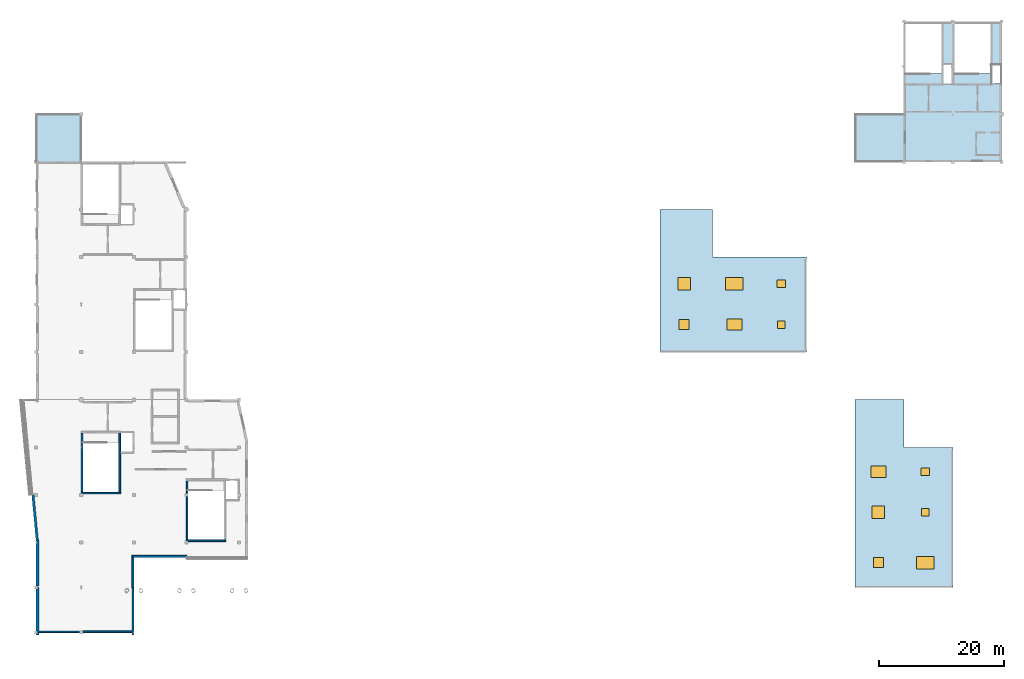
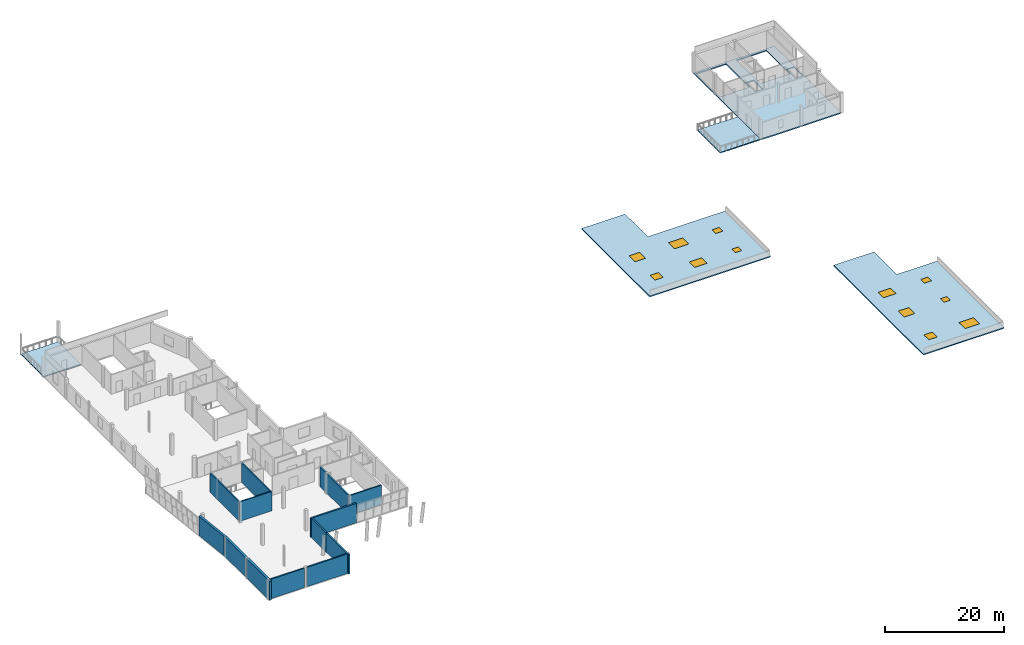
# One storey, part 10 of 17: 13 walls, 12 windows, 5 slabs, 12 openings.
"""IFC4 building model written with IfcOpenShell, lengths in metres."""

from ifc_helpers import new_model, si_unit, direction, frame, frame_2d, origin, origin_2d, place, context, subcontext, project, spatial, polyline, rectangle, outline, extrude, material, layer, layer_set, type_object, element, fill, save


model = new_model("IFC4")

# Units and contexts
model_context = context("Model", 3, precision=1e-05, world=origin(), true_north=direction((0.0, 1.0)))
body_context = subcontext(model_context, "Body", "Model", "MODEL_VIEW")
ifc_project = project(units=[si_unit("LENGTHUNIT", "METRE"), si_unit("AREAUNIT", "SQUARE_METRE"), si_unit("VOLUMEUNIT", "CUBIC_METRE"), si_unit("PLANEANGLEUNIT", "RADIAN"), si_unit("MASSUNIT", "GRAM", prefix="KILO")], contexts=[model_context])

# Site, building, storey
site_placement = place(None, origin())
site = spatial("IfcSite", under=ifc_project, at=site_placement, CompositionType="ELEMENT")
building_placement = place(site_placement, origin())
building = spatial("IfcBuilding", under=site, at=building_placement, Name="Xicomal Pleat Aquarium", CompositionType="ELEMENT")
storey_placement = place(building_placement, frame((0.0, 0.0, 19.800048828125)))
storey = spatial("IfcBuildingStorey", under=building, at=storey_placement, Name="L05", CompositionType="ELEMENT", Elevation=19.800048828125)

# Slab
ifc_material_1 = material(Name="Concrete C35/45", Category="concrete")
ifc_layer_1 = layer(ifc_material_1, 0.239990234375)
ifc_layer_set_1 = layer_set([ifc_layer_1], Name="Concrete C35/45")
slab_type_1 = type_object("IfcSlabType", Name="SLB-FLR-240", PredefinedType="FLOOR", material=ifc_layer_set_1)
slab_1_placement = place(storey_placement, frame((0.0, 0.0, -0.239990234375)))
element("IfcSlab", 1, at=slab_1_placement, inside=storey, type_object=slab_type_1, Name="L05 structural slab V7", PredefinedType="FLOOR", context=body_context, shape_type="SweptSolid", body=[
    extrude(outline(polyline([(141.60009765625, 98.39990234375), (157.199951171875, 98.39990234375), (157.199951171875, 76.0), (141.60009765625, 76.0), (141.60009765625, 98.39990234375)]), holes=[polyline([(141.840087890625, 90.080078125), (147.6201171875, 90.080078125), (147.6201171875, 98.0), (141.840087890625, 98.0), (141.840087890625, 90.080078125)]), polyline([(147.760009765625, 88.5), (149.199951171875, 88.5), (149.199951171875, 91.5), (147.760009765625, 91.5), (147.760009765625, 88.5)]), polyline([(149.639892578125, 90.080078125), (155.419921875, 90.080078125), (155.419921875, 98.0), (149.639892578125, 98.0), (149.639892578125, 90.080078125)]), polyline([(155.56005859375, 88.5), (157.0, 88.5), (157.0, 91.5), (155.56005859375, 91.5), (155.56005859375, 88.5)])]), origin(), (0.0, 0.0, 1.0), 0.239990234375),
])

# Slab, openings, windows
ifc_material_2 = material(Name="Precast concrete C40/50", Category="concrete")
ifc_layer_2 = layer(ifc_material_2, 0.215087890625)
ifc_layer_set_2 = layer_set([ifc_layer_2], Name="Precast concrete C40/50")
slab_type_2 = type_object("IfcSlabType", Name="SLB-ROOF-215", PredefinedType="ROOF", material=ifc_layer_set_2)
slab_2_placement = place(storey_placement, frame((0.0, 0.0, -0.219970703125)))
slab_2 = element("IfcSlab", 2, at=slab_2_placement, inside=storey, type_object=slab_type_2, Name="L05 skylight and equipment roof slab RF-FLAT-V4", PredefinedType="ROOF", context=body_context, shape_type="SweptSolid", body=[
    extrude(outline(polyline([(102.60009765625, 45.60009765625), (126.0, 45.60009765625), (126.0, 60.800048828125), (111.0, 60.800048828125), (111.0, 68.39990234375), (102.60009765625, 68.39990234375), (102.60009765625, 45.60009765625)]), holes=[polyline([(105.699951171875, 49.199951171875), (107.300048828125, 49.199951171875), (107.300048828125, 50.800048828125), (105.699951171875, 50.800048828125), (105.699951171875, 49.199951171875)]), polyline([(105.5, 55.5), (107.5, 55.5), (107.5, 57.5), (105.5, 57.5), (105.5, 55.5)]), polyline([(113.300048828125, 49.10009765625), (115.699951171875, 49.10009765625), (115.699951171875, 50.89990234375), (113.300048828125, 50.89990234375), (113.300048828125, 49.10009765625)]), polyline([(113.10009765625, 55.5), (115.89990234375, 55.5), (115.89990234375, 57.5), (113.10009765625, 57.5), (113.10009765625, 55.5)]), polyline([(121.39990234375, 49.39990234375), (122.60009765625, 49.39990234375), (122.60009765625, 50.60009765625), (121.39990234375, 50.60009765625), (121.39990234375, 49.39990234375)]), polyline([(121.300048828125, 55.89990234375), (122.699951171875, 55.89990234375), (122.699951171875, 57.10009765625), (121.300048828125, 57.10009765625), (121.300048828125, 55.89990234375)])]), origin(), (0.0, 0.0, 1.0), 0.219970703125),
])
opening_1_placement = place(slab_2_placement, frame((106.5, 50.0, 0.0)))
opening_1 = element("IfcOpeningElement", 3, at=opening_1_placement, cuts=slab_2, Name="Opening SK-01", PredefinedType="OPENING", context=body_context, shape_type="SweptSolid", body=[
    extrude(rectangle(XDim=1.60009765625, YDim=1.60009765625, at=origin_2d()), origin(), (0.0, 0.0, 1.0), 0.219970703125),
])
opening_2_placement = place(slab_2_placement, frame((106.5, 56.5, 0.0)))
opening_2 = element("IfcOpeningElement", 4, at=opening_2_placement, cuts=slab_2, Name="Opening SK-02", PredefinedType="OPENING", context=body_context, shape_type="SweptSolid", body=[
    extrude(rectangle(XDim=2.0, YDim=2.0, at=origin_2d()), origin(), (0.0, 0.0, 1.0), 0.219970703125),
])
opening_3_placement = place(slab_2_placement, frame((114.5, 50.0, 0.0)))
opening_3 = element("IfcOpeningElement", 5, at=opening_3_placement, cuts=slab_2, Name="Opening SK-03", PredefinedType="OPENING", context=body_context, shape_type="SweptSolid", body=[
    extrude(rectangle(XDim=2.39990234375, YDim=1.800048828125, at=origin_2d()), origin(), (0.0, 0.0, 1.0), 0.219970703125),
])
opening_4_placement = place(slab_2_placement, frame((114.5, 56.5, 0.0)))
opening_4 = element("IfcOpeningElement", 6, at=opening_4_placement, cuts=slab_2, Name="Opening SK-04", PredefinedType="OPENING", context=body_context, shape_type="SweptSolid", body=[
    extrude(rectangle(XDim=2.800048828125, YDim=2.0, at=origin_2d()), origin(), (0.0, 0.0, 1.0), 0.219970703125),
])
opening_5_placement = place(slab_2_placement, frame((122.0, 50.0, 0.0)))
opening_5 = element("IfcOpeningElement", 7, at=opening_5_placement, cuts=slab_2, Name="Opening RH-01", PredefinedType="OPENING", context=body_context, shape_type="SweptSolid", body=[
    extrude(rectangle(XDim=1.199951171875, YDim=1.199951171875, at=origin_2d()), origin(), (0.0, 0.0, 1.0), 0.219970703125),
])
opening_6_placement = place(slab_2_placement, frame((122.0, 56.5, 0.0)))
opening_6 = element("IfcOpeningElement", 8, at=opening_6_placement, cuts=slab_2, Name="Opening RH-02", PredefinedType="OPENING", context=body_context, shape_type="SweptSolid", body=[
    extrude(rectangle(XDim=1.39990234375, YDim=1.199951171875, at=origin_2d()), origin(), (0.0, 0.0, 1.0), 0.219970703125),
])
ifc_material_3 = material(Name="Insulated low-E laminated glass", Category="glass")
window_type_1 = type_object("IfcWindowType", Name="SKY-1600x1600", PartitioningType="SINGLE_PANEL", PredefinedType="SKYLIGHT", material=ifc_material_3)
window_1_placement = place(opening_1_placement, frame((0.0, 0.0, 0.169921875)))
window_1 = element("IfcWindow", 9, at=window_1_placement, inside=storey, type_object=window_type_1, Name="L05 conservatory rooflight and access hatch SK-L05-01", OverallHeight=1.60009765625, OverallWidth=1.60009765625, PartitioningType="SINGLE_PANEL", PredefinedType="SKYLIGHT", context=body_context, shape_type="SweptSolid", body=[
    extrude(rectangle(XDim=1.60009765625, YDim=1.60009765625, at=origin_2d()), origin(), (0.0, 0.0, 1.0), 0.050048828125),
])
fill(opening_1, window_1)
ifc_material_4 = material(Name="Insulated low-E laminated glass", Category="glass")
window_type_2 = type_object("IfcWindowType", Name="SKY-2000x2000", PartitioningType="DOUBLE_PANEL_VERTICAL", PredefinedType="SKYLIGHT", material=ifc_material_4)
window_2_placement = place(opening_2_placement, frame((0.0, 0.0, 0.169921875)))
window_2 = element("IfcWindow", 10, at=window_2_placement, inside=storey, type_object=window_type_2, Name="L05 conservatory rooflight and access hatch SK-L05-02", OverallHeight=2.0, OverallWidth=2.0, PartitioningType="SINGLE_PANEL", PredefinedType="SKYLIGHT", context=body_context, shape_type="SweptSolid", body=[
    extrude(rectangle(XDim=2.0, YDim=2.0, at=origin_2d()), origin(), (0.0, 0.0, 1.0), 0.050048828125),
])
fill(opening_2, window_2)
ifc_material_5 = material(Name="Insulated low-E laminated glass", Category="glass")
window_type_3 = type_object("IfcWindowType", Name="SKY-2400x1800", PartitioningType="DOUBLE_PANEL_VERTICAL", PredefinedType="SKYLIGHT", material=ifc_material_5)
window_3_placement = place(opening_3_placement, frame((0.0, 0.0, 0.169921875)))
window_3 = element("IfcWindow", 11, at=window_3_placement, inside=storey, type_object=window_type_3, Name="L05 conservatory rooflight and access hatch SK-L05-03", OverallHeight=1.800048828125, OverallWidth=2.39990234375, PartitioningType="SINGLE_PANEL", PredefinedType="SKYLIGHT", context=body_context, shape_type="SweptSolid", body=[
    extrude(rectangle(XDim=2.39990234375, YDim=1.800048828125, at=origin_2d()), origin(), (0.0, 0.0, 1.0), 0.050048828125),
])
fill(opening_3, window_3)
ifc_material_6 = material(Name="Insulated low-E laminated glass", Category="glass")
window_type_4 = type_object("IfcWindowType", Name="SKY-2800x2000", PartitioningType="DOUBLE_PANEL_VERTICAL", PredefinedType="SKYLIGHT", material=ifc_material_6)
window_4_placement = place(opening_4_placement, frame((0.0, 0.0, 0.169921875)))
window_4 = element("IfcWindow", 12, at=window_4_placement, inside=storey, type_object=window_type_4, Name="L05 conservatory rooflight and access hatch SK-L05-04", OverallHeight=2.0, OverallWidth=2.800048828125, PartitioningType="SINGLE_PANEL", PredefinedType="SKYLIGHT", context=body_context, shape_type="SweptSolid", body=[
    extrude(rectangle(XDim=2.800048828125, YDim=2.0, at=origin_2d()), origin(), (0.0, 0.0, 1.0), 0.050048828125),
])
fill(opening_4, window_4)
ifc_material_7 = material(Name="Bronze anodized aluminium 6063-T6", Category="aluminium")
window_type_5 = type_object("IfcWindowType", Name="SKY-HATCH-1200x1200", PartitioningType="SINGLE_PANEL", PredefinedType="SKYLIGHT", material=ifc_material_7)
window_5_placement = place(opening_5_placement, frame((0.0, 0.0, 0.169921875)))
window_5 = element("IfcWindow", 13, at=window_5_placement, inside=storey, type_object=window_type_5, Name="L05 conservatory rooflight and access hatch SK-L05-05", OverallHeight=1.199951171875, OverallWidth=1.199951171875, PartitioningType="SINGLE_PANEL", PredefinedType="SKYLIGHT", context=body_context, shape_type="SweptSolid", body=[
    extrude(rectangle(XDim=1.199951171875, YDim=1.199951171875, at=origin_2d()), origin(), (0.0, 0.0, 1.0), 0.050048828125),
])
fill(opening_5, window_5)
ifc_material_8 = material(Name="Bronze anodized aluminium 6063-T6", Category="aluminium")
window_type_6 = type_object("IfcWindowType", Name="SKY-HATCH-1400x1200", PartitioningType="SINGLE_PANEL", PredefinedType="SKYLIGHT", material=ifc_material_8)
window_6_placement = place(opening_6_placement, frame((0.0, 0.0, 0.169921875)))
window_6 = element("IfcWindow", 14, at=window_6_placement, inside=storey, type_object=window_type_6, Name="L05 conservatory rooflight and access hatch SK-L05-06", OverallHeight=1.199951171875, OverallWidth=1.39990234375, PartitioningType="SINGLE_PANEL", PredefinedType="SKYLIGHT", context=body_context, shape_type="SweptSolid", body=[
    extrude(rectangle(XDim=1.39990234375, YDim=1.199951171875, at=origin_2d()), origin(), (0.0, 0.0, 1.0), 0.050048828125),
])
fill(opening_6, window_6)

slab_3_placement = place(storey_placement, frame((0.0, 0.0, -0.219970703125)))
slab_3 = element("IfcSlab", 15, at=slab_3_placement, inside=storey, type_object=slab_type_2, Name="L05 skylight and equipment roof slab RF-FLAT-V3", PredefinedType="ROOF", context=body_context, shape_type="SweptSolid", body=[
    extrude(outline(polyline([(133.800048828125, 8.0), (149.39990234375, 8.0), (149.39990234375, 30.39990234375), (141.60009765625, 30.39990234375), (141.60009765625, 38.0), (133.800048828125, 38.0), (133.800048828125, 8.0)]), holes=[polyline([(136.699951171875, 11.199951171875), (138.300048828125, 11.199951171875), (138.300048828125, 12.800048828125), (136.699951171875, 12.800048828125), (136.699951171875, 11.199951171875)]), polyline([(136.5, 19.0), (138.5, 19.0), (138.5, 21.0), (136.5, 21.0), (136.5, 19.0)]), polyline([(136.300048828125, 25.60009765625), (138.699951171875, 25.60009765625), (138.699951171875, 27.39990234375), (136.300048828125, 27.39990234375), (136.300048828125, 25.60009765625)]), polyline([(143.60009765625, 11.0), (146.39990234375, 11.0), (146.39990234375, 13.0), (143.60009765625, 13.0), (143.60009765625, 11.0)]), polyline([(144.39990234375, 19.39990234375), (145.60009765625, 19.39990234375), (145.60009765625, 20.60009765625), (144.39990234375, 20.60009765625), (144.39990234375, 19.39990234375)]), polyline([(144.300048828125, 25.89990234375), (145.699951171875, 25.89990234375), (145.699951171875, 27.10009765625), (144.300048828125, 27.10009765625), (144.300048828125, 25.89990234375)])]), origin(), (0.0, 0.0, 1.0), 0.219970703125),
])
opening_7_placement = place(slab_3_placement, frame((137.5, 12.0, 0.0)))
opening_7 = element("IfcOpeningElement", 16, at=opening_7_placement, cuts=slab_3, Name="Opening SK-01", PredefinedType="OPENING", context=body_context, shape_type="SweptSolid", body=[
    extrude(rectangle(XDim=1.60009765625, YDim=1.60009765625, at=origin_2d()), origin(), (0.0, 0.0, 1.0), 0.219970703125),
])
opening_8_placement = place(slab_3_placement, frame((137.5, 20.0, 0.0)))
opening_8 = element("IfcOpeningElement", 17, at=opening_8_placement, cuts=slab_3, Name="Opening SK-02", PredefinedType="OPENING", context=body_context, shape_type="SweptSolid", body=[
    extrude(rectangle(XDim=2.0, YDim=2.0, at=origin_2d()), origin(), (0.0, 0.0, 1.0), 0.219970703125),
])
opening_9_placement = place(slab_3_placement, frame((137.5, 26.5, 0.0)))
opening_9 = element("IfcOpeningElement", 18, at=opening_9_placement, cuts=slab_3, Name="Opening SK-03", PredefinedType="OPENING", context=body_context, shape_type="SweptSolid", body=[
    extrude(rectangle(XDim=2.39990234375, YDim=1.800048828125, at=origin_2d()), origin(), (0.0, 0.0, 1.0), 0.219970703125),
])
opening_10_placement = place(slab_3_placement, frame((145.0, 12.0, 0.0)))
opening_10 = element("IfcOpeningElement", 19, at=opening_10_placement, cuts=slab_3, Name="Opening SK-04", PredefinedType="OPENING", context=body_context, shape_type="SweptSolid", body=[
    extrude(rectangle(XDim=2.800048828125, YDim=2.0, at=origin_2d()), origin(), (0.0, 0.0, 1.0), 0.219970703125),
])
opening_11_placement = place(slab_3_placement, frame((145.0, 20.0, 0.0)))
opening_11 = element("IfcOpeningElement", 20, at=opening_11_placement, cuts=slab_3, Name="Opening RH-01", PredefinedType="OPENING", context=body_context, shape_type="SweptSolid", body=[
    extrude(rectangle(XDim=1.199951171875, YDim=1.199951171875, at=origin_2d()), origin(), (0.0, 0.0, 1.0), 0.219970703125),
])
opening_12_placement = place(slab_3_placement, frame((145.0, 26.5, 0.0)))
opening_12 = element("IfcOpeningElement", 21, at=opening_12_placement, cuts=slab_3, Name="Opening RH-02", PredefinedType="OPENING", context=body_context, shape_type="SweptSolid", body=[
    extrude(rectangle(XDim=1.39990234375, YDim=1.199951171875, at=origin_2d()), origin(), (0.0, 0.0, 1.0), 0.219970703125),
])
window_7_placement = place(opening_7_placement, frame((0.0, 0.0, 0.169921875)))
window_7 = element("IfcWindow", 22, at=window_7_placement, inside=storey, type_object=window_type_1, Name="L05 conservatory rooflight and access hatch SK-L05-07", OverallHeight=1.60009765625, OverallWidth=1.60009765625, PartitioningType="SINGLE_PANEL", PredefinedType="SKYLIGHT", context=body_context, shape_type="SweptSolid", body=[
    extrude(rectangle(XDim=1.60009765625, YDim=1.60009765625, at=origin_2d()), origin(), (0.0, 0.0, 1.0), 0.050048828125),
])
fill(opening_7, window_7)
window_8_placement = place(opening_8_placement, frame((0.0, 0.0, 0.169921875)))
window_8 = element("IfcWindow", 23, at=window_8_placement, inside=storey, type_object=window_type_2, Name="L05 conservatory rooflight and access hatch SK-L05-08", OverallHeight=2.0, OverallWidth=2.0, PartitioningType="SINGLE_PANEL", PredefinedType="SKYLIGHT", context=body_context, shape_type="SweptSolid", body=[
    extrude(rectangle(XDim=2.0, YDim=2.0, at=origin_2d()), origin(), (0.0, 0.0, 1.0), 0.050048828125),
])
fill(opening_8, window_8)
window_9_placement = place(opening_9_placement, frame((0.0, 0.0, 0.169921875)))
window_9 = element("IfcWindow", 24, at=window_9_placement, inside=storey, type_object=window_type_3, Name="L05 conservatory rooflight and access hatch SK-L05-09", OverallHeight=1.800048828125, OverallWidth=2.39990234375, PartitioningType="SINGLE_PANEL", PredefinedType="SKYLIGHT", context=body_context, shape_type="SweptSolid", body=[
    extrude(rectangle(XDim=2.39990234375, YDim=1.800048828125, at=origin_2d()), origin(), (0.0, 0.0, 1.0), 0.050048828125),
])
fill(opening_9, window_9)
window_10_placement = place(opening_10_placement, frame((0.0, 0.0, 0.169921875)))
window_10 = element("IfcWindow", 25, at=window_10_placement, inside=storey, type_object=window_type_4, Name="L05 conservatory rooflight and access hatch SK-L05-10", OverallHeight=2.0, OverallWidth=2.800048828125, PartitioningType="SINGLE_PANEL", PredefinedType="SKYLIGHT", context=body_context, shape_type="SweptSolid", body=[
    extrude(rectangle(XDim=2.800048828125, YDim=2.0, at=origin_2d()), origin(), (0.0, 0.0, 1.0), 0.050048828125),
])
fill(opening_10, window_10)
window_11_placement = place(opening_11_placement, frame((0.0, 0.0, 0.169921875)))
window_11 = element("IfcWindow", 26, at=window_11_placement, inside=storey, type_object=window_type_5, Name="L05 conservatory rooflight and access hatch SK-L05-11", OverallHeight=1.199951171875, OverallWidth=1.199951171875, PartitioningType="SINGLE_PANEL", PredefinedType="SKYLIGHT", context=body_context, shape_type="SweptSolid", body=[
    extrude(rectangle(XDim=1.199951171875, YDim=1.199951171875, at=origin_2d()), origin(), (0.0, 0.0, 1.0), 0.050048828125),
])
fill(opening_11, window_11)
window_12_placement = place(opening_12_placement, frame((0.0, 0.0, 0.169921875)))
window_12 = element("IfcWindow", 27, at=window_12_placement, inside=storey, type_object=window_type_6, Name="L05 conservatory rooflight and access hatch SK-L05-12", OverallHeight=1.199951171875, OverallWidth=1.39990234375, PartitioningType="SINGLE_PANEL", PredefinedType="SKYLIGHT", context=body_context, shape_type="SweptSolid", body=[
    extrude(rectangle(XDim=1.39990234375, YDim=1.199951171875, at=origin_2d()), origin(), (0.0, 0.0, 1.0), 0.050048828125),
])
fill(opening_12, window_12)

# Slabs
ifc_material_9 = material(Name="Concrete C40/50", Category="concrete")
ifc_layer_3 = layer(ifc_material_9, 0.18505859375)
ifc_layer_set_3 = layer_set([ifc_layer_3], Name="Concrete C40/50")
slab_type_3 = type_object("IfcSlabType", Name="SLB-TER-185", PredefinedType="FLOOR", material=ifc_layer_set_3)
slab_4_placement = place(storey_placement, frame((0.0, 0.0, -0.18994140625)))
element("IfcSlab", 28, at=slab_4_placement, inside=storey, type_object=slab_type_3, Name="L05 outdoor planted court terrace TR-L05-NE", PredefinedType="FLOOR", context=body_context, shape_type="SweptSolid", body=[
    extrude(outline(polyline([(133.800048828125, 76.0), (133.800048828125, 83.60009765625), (141.60009765625, 83.60009765625), (141.60009765625, 76.0), (133.800048828125, 76.0)])), origin(), (0.0, 0.0, 1.0), 0.18994140625),
])
ifc_material_10 = material(Name="Concrete C40/50", Category="concrete")
ifc_layer_4 = layer(ifc_material_10, 0.199951171875)
ifc_layer_set_4 = layer_set([ifc_layer_4], Name="Concrete C40/50")
slab_type_4 = type_object("IfcSlabType", Name="SLB-TER-200", PredefinedType="FLOOR", material=ifc_layer_set_4)
slab_5_placement = place(storey_placement, frame((0.0, 0.0, -0.18505859375)))
element("IfcSlab", 29, at=slab_5_placement, inside=storey, type_object=slab_type_4, Name="L05 outdoor planted court terrace TR-L05-SW", PredefinedType="FLOOR", context=body_context, shape_type="SweptSolid", body=[
    extrude(outline(polyline([(3.0, 76.0), (3.0, 83.60009765625), (10.199951171875, 83.60009765625), (10.199951171875, 76.0), (3.0, 76.0)])), origin(), (0.0, 0.0, 1.0), 0.18505859375),
])

# Walls
ifc_material_11 = material(Name="Concrete C40/50", Category="concrete")
ifc_layer_5 = layer(ifc_material_11, 0.25)
ifc_layer_set_5 = layer_set([ifc_layer_5], Name="Concrete C40/50")
wall_type_1 = type_object("IfcWallType", Name="WAL-COR-250", PredefinedType="SHEAR", material=ifc_layer_set_5)
wall_1_placement = place(storey_placement, frame((10.18994140625, 23.074951171875, 0.0), z_axis=(0.0, 0.0, 1.0), x_axis=(1.0, 0.0, 0.0)))
element("IfcWall", 30, at=wall_1_placement, inside=storey, type_object=wall_type_1, Name="L05 CORE-1 stair shear wall CW-L05-C1-SS", PredefinedType="SHEAR", context=body_context, shape_type="SweptSolid", body=[
    extrude(rectangle(XDim=6.280029296875, YDim=0.25, at=frame_2d((3.14013671875, 0.0))), origin(), (0.0, 0.0, 1.0), 3.9599609375),
])
for number, where, z_axis, x_axis, name in (
    (31, (10.31494140625, 23.199951171875, 0.0), (0.0, 0.0, 1.0), (0.0, 1.0, 0.0), "L05 CORE-1 stair shear wall CW-L05-C1-SW"),
    (32, (16.344970703125, 23.199951171875, 0.0), (0.0, 0.0, 1.0), (0.0, 1.0, 0.0), "L05 CORE-1 stair shear wall CW-L05-C1-SE"),
):
    element("IfcWall", number, at=place(storey_placement, frame(where, z_axis=z_axis, x_axis=x_axis)), inside=storey, type_object=wall_type_1, Name=name, PredefinedType="SHEAR", context=body_context, shape_type="SweptSolid", body=[
        extrude(rectangle(XDim=9.5, YDim=0.25, at=frame_2d((4.75, 0.0))), origin(), (0.0, 0.0, 1.0), 3.9599609375),
    ])
wall_2_placement = place(storey_placement, frame((26.989990234375, 15.47509765625, 0.0), z_axis=(0.0, 0.0, 1.0), x_axis=(1.0, 0.0, 0.0)))
element("IfcWall", 33, at=wall_2_placement, inside=storey, type_object=wall_type_1, Name="L05 CORE-2 stair shear wall CW-L05-C2-SS", PredefinedType="SHEAR", context=body_context, shape_type="SweptSolid", body=[
    extrude(rectangle(XDim=6.280029296875, YDim=0.25, at=frame_2d((3.14013671875, 0.0))), origin(), (0.0, 0.0, 1.0), 3.9599609375),
])
wall_3_placement = place(storey_placement, frame((27.114990234375, 15.60009765625, 0.0), z_axis=(0.0, 0.0, 1.0), x_axis=(0.0, 1.0, 0.0)))
element("IfcWall", 34, at=wall_3_placement, inside=storey, type_object=wall_type_1, Name="L05 CORE-2 stair shear wall CW-L05-C2-SW", PredefinedType="SHEAR", context=body_context, shape_type="SweptSolid", body=[
    extrude(rectangle(XDim=9.5, YDim=0.25, at=frame_2d((4.75, 0.0))), origin(), (0.0, 0.0, 1.0), 3.9599609375),
])
ifc_material_12 = material(Name="Volcanic basalt recinto masonry and concrete C40/50", Category="masonry")
ifc_layer_6 = layer(ifc_material_12, 0.39990234375)
ifc_layer_set_6 = layer_set([ifc_layer_6], Name="Volcanic basalt recinto masonry and concrete C40/50")
wall_type_2 = type_object("IfcWallType", Name="WAL-EXT-BAS-400", PredefinedType="SOLIDWALL", material=ifc_layer_set_6)
wall_4_placement = place(storey_placement, frame((3.1669921875, 15.56005859375, 0.0), z_axis=(0.0, 0.0, 1.0), x_axis=(-0.093964434374, 0.995575554678, 0.0)))
element("IfcWall", 35, at=wall_4_placement, inside=storey, type_object=wall_type_2, Name="L05 exterior basalt-precast wall EW-L05-023", PredefinedType="SOLIDWALL", context=body_context, shape_type="SweptSolid", body=[
    extrude(rectangle(XDim=7.3115234375, YDim=0.39990234375, at=frame_2d((3.65576171875, 0.0))), origin(), (0.0, 0.0, 1.0), 3.9599609375),
])
ifc_material_13 = material(Name="Volcanic basalt recinto masonry and concrete C40/50", Category="masonry")
ifc_layer_7 = layer(ifc_material_13, 0.419921875)
ifc_layer_set_7 = layer_set([ifc_layer_7], Name="Volcanic basalt recinto masonry and concrete C40/50")
wall_type_3 = type_object("IfcWallType", Name="WAL-EXT-BAS-420", PredefinedType="SOLIDWALL", material=ifc_layer_set_7)
wall_5_placement = place(storey_placement, frame((3.2099609375, 8.235107421875, 0.0), z_axis=(0.0, 0.0, 1.0), x_axis=(0.0, 1.0, 0.0)))
element("IfcWall", 36, at=wall_5_placement, inside=storey, type_object=wall_type_3, Name="L05 exterior basalt-precast wall EW-L05-022", PredefinedType="SOLIDWALL", context=body_context, shape_type="SweptSolid", body=[
    extrude(rectangle(XDim=7.324951171875, YDim=0.419921875, at=frame_2d((3.66259765625, 0.0))), origin(), (0.0, 0.0, 1.0), 3.9599609375),
])
ifc_material_14 = material(Name="Volcanic basalt recinto masonry and concrete C40/50", Category="masonry")
ifc_layer_8 = layer(ifc_material_14, 0.445068359375)
ifc_layer_set_8 = layer_set([ifc_layer_8], Name="Volcanic basalt recinto masonry and concrete C40/50")
wall_type_4 = type_object("IfcWallType", Name="WAL-EXT-BAS-445", PredefinedType="SOLIDWALL", material=ifc_layer_set_8)
wall_6_placement = place(storey_placement, frame((3.222900390625, 0.43994140625, 0.0), z_axis=(0.0, 0.0, 1.0), x_axis=(0.0, 1.0, 0.0)))
element("IfcWall", 37, at=wall_6_placement, inside=storey, type_object=wall_type_4, Name="L05 exterior basalt-precast wall EW-L05-021", PredefinedType="SOLIDWALL", context=body_context, shape_type="SweptSolid", body=[
    extrude(rectangle(XDim=7.580078125, YDim=0.445068359375, at=frame_2d((3.7900390625, 0.0))), origin(), (0.0, 0.0, 1.0), 3.9599609375),
])
ifc_material_15 = material(Name="Precast concrete C40/50", Category="concrete")
ifc_layer_9 = layer(ifc_material_15, 0.260009765625)
ifc_layer_set_9 = layer_set([ifc_layer_9], Name="Precast concrete C40/50")
wall_type_5 = type_object("IfcWallType", Name="WAL-EXT-PRC-260", PredefinedType="SOLIDWALL", material=ifc_layer_set_9)
wall_7_placement = place(storey_placement, frame((9.965087890625, 0.929931640625, 0.0), z_axis=(0.0, 0.0, 1.0), x_axis=(-1.0, 0.0, 0.0)))
element("IfcWall", 38, at=wall_7_placement, inside=storey, type_object=wall_type_5, Name="L05 exterior basalt-precast wall EW-L05-020", PredefinedType="SOLIDWALL", context=body_context, shape_type="SweptSolid", body=[
    extrude(rectangle(XDim=6.72998046875, YDim=0.260009765625, at=frame_2d((3.364990234375, 0.0))), origin(), (0.0, 0.0, 1.0), 3.9599609375),
])
ifc_material_16 = material(Name="Precast concrete C40/50", Category="concrete")
ifc_layer_10 = layer(ifc_material_16, 0.280029296875)
ifc_layer_set_10 = layer_set([ifc_layer_10], Name="Precast concrete C40/50")
wall_type_6 = type_object("IfcWallType", Name="WAL-EXT-PRC-280", PredefinedType="SOLIDWALL", material=ifc_layer_set_10)
wall_8_placement = place(storey_placement, frame((18.304931640625, 0.93994140625, 0.0), z_axis=(0.0, 0.0, 1.0), x_axis=(-1.0, 0.0, 0.0)))
element("IfcWall", 39, at=wall_8_placement, inside=storey, type_object=wall_type_6, Name="L05 exterior basalt-precast wall EW-L05-019B", PredefinedType="SOLIDWALL", context=body_context, shape_type="SweptSolid", body=[
    extrude(rectangle(XDim=7.869873046875, YDim=0.280029296875, at=frame_2d((3.93505859375, 0.0))), origin(), (0.0, 0.0, 1.0), 3.9599609375),
])
ifc_material_17 = material(Name="Precast concrete C40/50", Category="concrete")
ifc_layer_11 = layer(ifc_material_17, 0.2900390625)
ifc_layer_set_11 = layer_set([ifc_layer_11], Name="Precast concrete C40/50")
wall_type_7 = type_object("IfcWallType", Name="WAL-EXT-PRC-290", PredefinedType="SOLIDWALL", material=ifc_layer_set_11)
wall_9_placement = place(storey_placement, frame((18.455078125, 7.97998046875, 0.0), z_axis=(0.0, 0.0, 1.0), x_axis=(0.0, -1.0, 0.0)))
element("IfcWall", 40, at=wall_9_placement, inside=storey, type_object=wall_type_7, Name="L05 exterior basalt-precast wall EW-L05-018", PredefinedType="SOLIDWALL", context=body_context, shape_type="SweptSolid", body=[
    extrude(rectangle(XDim=7.5400390625, YDim=0.2900390625, at=frame_2d((3.77001953125, 0.0))), origin(), (0.0, 0.0, 1.0), 3.9599609375),
])
ifc_material_18 = material(Name="Precast concrete C40/50", Category="concrete")
ifc_layer_12 = layer(ifc_material_18, 0.300048828125)
ifc_layer_set_12 = layer_set([ifc_layer_12], Name="Precast concrete C40/50")
wall_type_8 = type_object("IfcWallType", Name="WAL-EXT-PRC-300", PredefinedType="SOLIDWALL", material=ifc_layer_set_12)
wall_10_placement = place(storey_placement, frame((18.449951171875, 12.8349609375, 0.0), z_axis=(0.0, 0.0, 1.0), x_axis=(0.0, -1.0, 0.0)))
element("IfcWall", 41, at=wall_10_placement, inside=storey, type_object=wall_type_8, Name="L05 exterior basalt-precast wall EW-L05-017B", PredefinedType="SOLIDWALL", context=body_context, shape_type="SweptSolid", body=[
    extrude(rectangle(XDim=4.85498046875, YDim=0.300048828125, at=frame_2d((2.427490234375, 0.0))), origin(), (0.0, 0.0, 1.0), 3.9599609375),
])
ifc_material_19 = material(Name="Precast concrete C40/50", Category="concrete")
ifc_layer_13 = layer(ifc_material_19, 0.31201171875)
ifc_layer_set_13 = layer_set([ifc_layer_13], Name="Precast concrete C40/50")
wall_type_9 = type_object("IfcWallType", Name="WAL-EXT-PRC-312", PredefinedType="SOLIDWALL", material=ifc_layer_set_13)
wall_11_placement = place(storey_placement, frame((27.02001953125, 12.99609375, 0.0), z_axis=(0.0, 0.0, 1.0), x_axis=(-1.0, 0.0, 0.0)))
element("IfcWall", 42, at=wall_11_placement, inside=storey, type_object=wall_type_9, Name="L05 exterior basalt-precast wall EW-L05-016", PredefinedType="SOLIDWALL", context=body_context, shape_type="SweptSolid", body=[
    extrude(rectangle(XDim=8.780029296875, YDim=0.31201171875, at=frame_2d((4.39013671875, 0.0))), origin(), (0.0, 0.0, 1.0), 3.9599609375),
])

save(model, "model.ifc")
